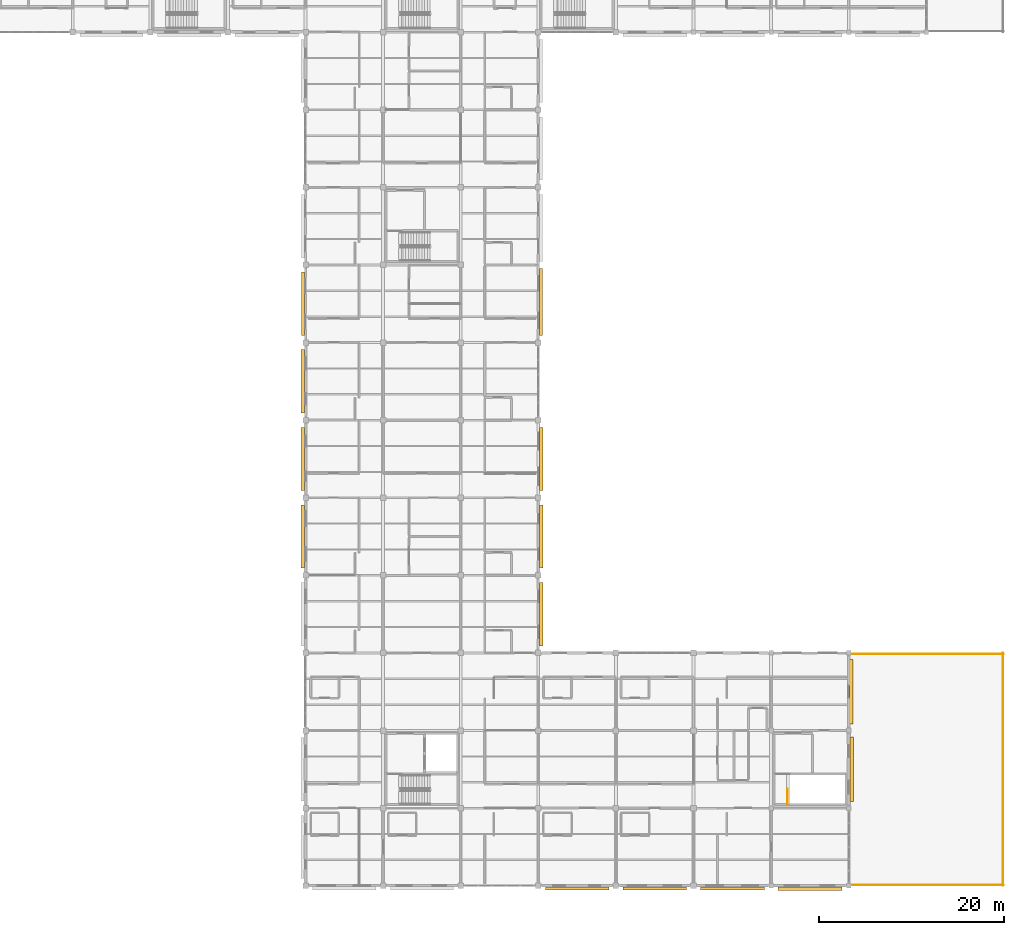
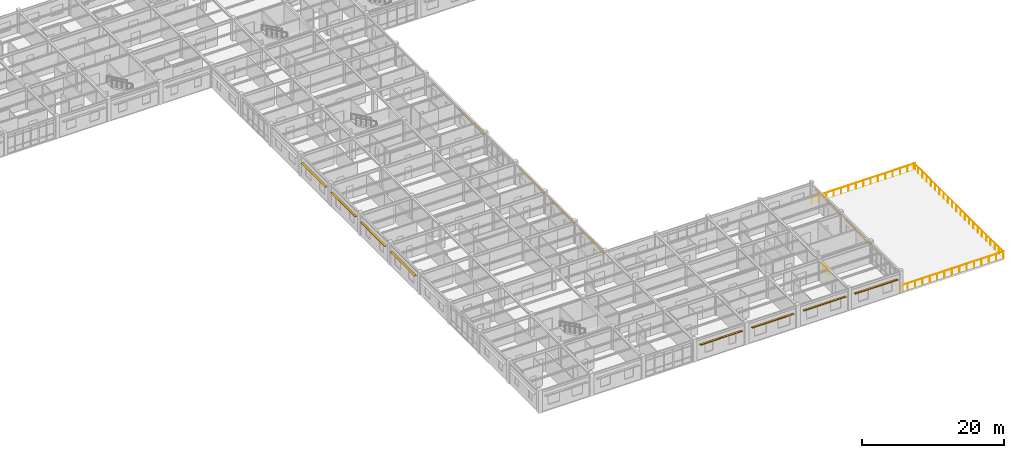
# One storey, part 62 of 70: 14 shading devices, 8 railings.
"""IFC4 building model written with IfcOpenShell, lengths in metres."""

from ifc_helpers import new_model, si_unit, direction, frame, origin, origin_2d, place, context, subcontext, project, spatial, rectangle, circle, extrude, material, material_profile, profile_set, type_object, element, save


model = new_model("IFC4")

# Units and contexts
model_context = context("Model", 3, precision=1e-05, world=origin(), true_north=direction((0.0, 1.0)))
body_context = subcontext(model_context, "Body", "Model", "MODEL_VIEW")
ifc_project = project(units=[si_unit("LENGTHUNIT", "METRE"), si_unit("AREAUNIT", "SQUARE_METRE"), si_unit("VOLUMEUNIT", "CUBIC_METRE"), si_unit("PLANEANGLEUNIT", "RADIAN"), si_unit("MASSUNIT", "GRAM", prefix="KILO")], contexts=[model_context])

# Site, building, storey
site_placement = place(None, origin())
site = spatial("IfcSite", under=ifc_project, at=site_placement, CompositionType="ELEMENT")
building_placement = place(site_placement, origin())
building = spatial("IfcBuilding", under=site, at=building_placement, Name="Bramfleet General Hospital", CompositionType="ELEMENT")
storey_placement = place(building_placement, frame((0.0, 0.0, 22.5)))
storey = spatial("IfcBuildingStorey", under=building, at=storey_placement, Name="L05", CompositionType="ELEMENT", Elevation=22.5)

# Railings
ifc_material_1 = material(Name="Stainless steel 1.4401 safety balustrade", Category="steel")
railing_type_1 = type_object("IfcRailingType", Name="RAIL-EXT-GUARD", PredefinedType="GUARDRAIL", material=ifc_material_1)
railing_1_placement = place(storey_placement, frame((159.610107421875, 25.10009765625, 0.0)))
element("IfcRailing", 1, at=railing_1_placement, inside=storey, type_object=railing_type_1, Name="L05 Safety Guard Rail 183", PredefinedType="GUARDRAIL", context=body_context, shape_type="SweptSolid", body=[
    extrude(circle(Radius=0.02392578125, at=origin_2d()), frame((0.0, 0.0, 1.076171875), z_axis=(1.0, 0.0, 0.0), x_axis=(0.0, 1.0, 0.0)), (0.0, 0.0, 1.0), 8.3798828125),
    extrude(circle(Radius=0.02099609375, at=origin_2d()), origin(), (0.0, 0.0, 1.0), 1.052001953125),
    extrude(circle(Radius=0.02099609375, at=origin_2d()), frame((1.197021484375, 0.0, 0.0)), (0.0, 0.0, 1.0), 1.052001953125),
    extrude(circle(Radius=0.02099609375, at=origin_2d()), frame((2.394287109375, 0.0, 0.0)), (0.0, 0.0, 1.0), 1.052001953125),
    extrude(circle(Radius=0.02099609375, at=origin_2d()), frame((3.59130859375, 0.0, 0.0)), (0.0, 0.0, 1.0), 1.052001953125),
    extrude(circle(Radius=0.02099609375, at=origin_2d()), frame((4.78857421875, 0.0, 0.0)), (0.0, 0.0, 1.0), 1.052001953125),
    extrude(circle(Radius=0.02099609375, at=origin_2d()), frame((5.985595703125, 0.0, 0.0)), (0.0, 0.0, 1.0), 1.052001953125),
    extrude(circle(Radius=0.02099609375, at=origin_2d()), frame((7.182861328125, 0.0, 0.0)), (0.0, 0.0, 1.0), 1.052001953125),
    extrude(circle(Radius=0.02099609375, at=origin_2d()), frame((8.3798828125, 0.0, 0.0)), (0.0, 0.0, 1.0), 1.052001953125),
])
railing_2_placement = place(storey_placement, frame((167.89990234375, 25.18994140625, 0.0)))
element("IfcRailing", 2, at=railing_2_placement, inside=storey, type_object=railing_type_1, Name="L05 Safety Guard Rail 184", PredefinedType="GUARDRAIL", context=body_context, shape_type="SweptSolid", body=[
    extrude(circle(Radius=0.02392578125, at=origin_2d()), frame((0.0, 0.0, 1.076171875), z_axis=(0.0, -1.0, 0.0), x_axis=(1.0, 0.0, 0.0)), (0.0, 0.0, 1.0), 8.3798828125),
    extrude(circle(Radius=0.02099609375, at=origin_2d()), origin(), (0.0, 0.0, 1.0), 1.052001953125),
    extrude(circle(Radius=0.02099609375, at=origin_2d()), frame((0.0, -1.197021484375, 0.0)), (0.0, 0.0, 1.0), 1.052001953125),
    extrude(circle(Radius=0.02099609375, at=origin_2d()), frame((0.0, -2.394287109375, 0.0)), (0.0, 0.0, 1.0), 1.052001953125),
    extrude(circle(Radius=0.02099609375, at=origin_2d()), frame((0.0, -3.59130859375, 0.0)), (0.0, 0.0, 1.0), 1.052001953125),
    extrude(circle(Radius=0.02099609375, at=origin_2d()), frame((0.0, -4.78857421875, 0.0)), (0.0, 0.0, 1.0), 1.052001953125),
    extrude(circle(Radius=0.02099609375, at=origin_2d()), frame((0.0, -5.985595703125, 0.0)), (0.0, 0.0, 1.0), 1.052001953125),
    extrude(circle(Radius=0.02099609375, at=origin_2d()), frame((0.0, -7.182861328125, 0.0)), (0.0, 0.0, 1.0), 1.052001953125),
    extrude(circle(Radius=0.02099609375, at=origin_2d()), frame((0.0, -8.3798828125, 0.0)), (0.0, 0.0, 1.0), 1.052001953125),
])
railing_3_placement = place(storey_placement, frame((167.89990234375, 16.7900390625, 0.0)))
element("IfcRailing", 3, at=railing_3_placement, inside=storey, type_object=railing_type_1, Name="L05 Safety Guard Rail 185", PredefinedType="GUARDRAIL", context=body_context, shape_type="SweptSolid", body=[
    extrude(circle(Radius=0.02392578125, at=origin_2d()), frame((0.0, 0.0, 1.076171875), z_axis=(0.0, -1.0, 0.0), x_axis=(1.0, 0.0, 0.0)), (0.0, 0.0, 1.0), 8.380126953125),
    extrude(circle(Radius=0.02099609375, at=origin_2d()), origin(), (0.0, 0.0, 1.0), 1.052001953125),
    extrude(circle(Radius=0.02099609375, at=origin_2d()), frame((0.0, -1.197265625, 0.0)), (0.0, 0.0, 1.0), 1.052001953125),
    extrude(circle(Radius=0.02099609375, at=origin_2d()), frame((0.0, -2.394287109375, 0.0)), (0.0, 0.0, 1.0), 1.052001953125),
    extrude(circle(Radius=0.02099609375, at=origin_2d()), frame((0.0, -3.591552734375, 0.0)), (0.0, 0.0, 1.0), 1.052001953125),
    extrude(circle(Radius=0.02099609375, at=origin_2d()), frame((0.0, -4.78857421875, 0.0)), (0.0, 0.0, 1.0), 1.052001953125),
    extrude(circle(Radius=0.02099609375, at=origin_2d()), frame((0.0, -5.98583984375, 0.0)), (0.0, 0.0, 1.0), 1.052001953125),
    extrude(circle(Radius=0.02099609375, at=origin_2d()), frame((0.0, -7.182861328125, 0.0)), (0.0, 0.0, 1.0), 1.052001953125),
    extrude(circle(Radius=0.02099609375, at=origin_2d()), frame((0.0, -8.380126953125, 0.0)), (0.0, 0.0, 1.0), 1.052001953125),
])
railing_4_placement = place(storey_placement, frame((167.89990234375, 8.389892578125, 0.0)))
element("IfcRailing", 4, at=railing_4_placement, inside=storey, type_object=railing_type_1, Name="L05 Safety Guard Rail 186", PredefinedType="GUARDRAIL", context=body_context, shape_type="SweptSolid", body=[
    extrude(circle(Radius=0.02392578125, at=origin_2d()), frame((0.0, 0.0, 1.076171875), z_axis=(0.0, -1.0, 0.0), x_axis=(1.0, 0.0, 0.0)), (0.0, 0.0, 1.0), 8.3798828125),
    extrude(circle(Radius=0.02099609375, at=origin_2d()), origin(), (0.0, 0.0, 1.0), 1.052001953125),
    extrude(circle(Radius=0.02099609375, at=origin_2d()), frame((0.0, -1.197021484375, 0.0)), (0.0, 0.0, 1.0), 1.052001953125),
    extrude(circle(Radius=0.02099609375, at=origin_2d()), frame((0.0, -2.394287109375, 0.0)), (0.0, 0.0, 1.0), 1.052001953125),
    extrude(circle(Radius=0.02099609375, at=origin_2d()), frame((0.0, -3.59130859375, 0.0)), (0.0, 0.0, 1.0), 1.052001953125),
    extrude(circle(Radius=0.02099609375, at=origin_2d()), frame((0.0, -4.78857421875, 0.0)), (0.0, 0.0, 1.0), 1.052001953125),
    extrude(circle(Radius=0.02099609375, at=origin_2d()), frame((0.0, -5.985595703125, 0.0)), (0.0, 0.0, 1.0), 1.052001953125),
    extrude(circle(Radius=0.02099609375, at=origin_2d()), frame((0.0, -7.182861328125, 0.0)), (0.0, 0.0, 1.0), 1.052001953125),
    extrude(circle(Radius=0.02099609375, at=origin_2d()), frame((0.0, -8.3798828125, 0.0)), (0.0, 0.0, 1.0), 1.052001953125),
])
railing_5_placement = place(storey_placement, frame((167.989990234375, 0.10009765625, 0.0)))
element("IfcRailing", 5, at=railing_5_placement, inside=storey, type_object=railing_type_1, Name="L05 Safety Guard Rail 187", PredefinedType="GUARDRAIL", context=body_context, shape_type="SweptSolid", body=[
    extrude(circle(Radius=0.02392578125, at=origin_2d()), frame((0.0, 0.0, 1.076171875), z_axis=(-1.0, 0.0, 0.0), x_axis=(0.0, -1.0, 0.0)), (0.0, 0.0, 1.0), 8.3798828125),
    extrude(circle(Radius=0.02099609375, at=origin_2d()), origin(), (0.0, 0.0, 1.0), 1.052001953125),
    extrude(circle(Radius=0.02099609375, at=origin_2d()), frame((-1.197021484375, 0.0, 0.0)), (0.0, 0.0, 1.0), 1.052001953125),
    extrude(circle(Radius=0.02099609375, at=origin_2d()), frame((-2.394287109375, 0.0, 0.0)), (0.0, 0.0, 1.0), 1.052001953125),
    extrude(circle(Radius=0.02099609375, at=origin_2d()), frame((-3.59130859375, 0.0, 0.0)), (0.0, 0.0, 1.0), 1.052001953125),
    extrude(circle(Radius=0.02099609375, at=origin_2d()), frame((-4.78857421875, 0.0, 0.0)), (0.0, 0.0, 1.0), 1.052001953125),
    extrude(circle(Radius=0.02099609375, at=origin_2d()), frame((-5.985595703125, 0.0, 0.0)), (0.0, 0.0, 1.0), 1.052001953125),
    extrude(circle(Radius=0.02099609375, at=origin_2d()), frame((-7.182861328125, 0.0, 0.0)), (0.0, 0.0, 1.0), 1.052001953125),
    extrude(circle(Radius=0.02099609375, at=origin_2d()), frame((-8.3798828125, 0.0, 0.0)), (0.0, 0.0, 1.0), 1.052001953125),
])
railing_6_placement = place(storey_placement, frame((159.590087890625, 0.10009765625, 0.0)))
element("IfcRailing", 6, at=railing_6_placement, inside=storey, type_object=railing_type_1, Name="L05 Safety Guard Rail 188", PredefinedType="GUARDRAIL", context=body_context, shape_type="SweptSolid", body=[
    extrude(circle(Radius=0.02392578125, at=origin_2d()), frame((0.0, 0.0, 1.076171875), z_axis=(-1.0, 0.0, 0.0), x_axis=(0.0, -1.0, 0.0)), (0.0, 0.0, 1.0), 8.380126953125),
    extrude(circle(Radius=0.02099609375, at=origin_2d()), origin(), (0.0, 0.0, 1.0), 1.052001953125),
    extrude(circle(Radius=0.02099609375, at=origin_2d()), frame((-1.197265625, 0.0, 0.0)), (0.0, 0.0, 1.0), 1.052001953125),
    extrude(circle(Radius=0.02099609375, at=origin_2d()), frame((-2.394287109375, 0.0, 0.0)), (0.0, 0.0, 1.0), 1.052001953125),
    extrude(circle(Radius=0.02099609375, at=origin_2d()), frame((-3.591552734375, 0.0, 0.0)), (0.0, 0.0, 1.0), 1.052001953125),
    extrude(circle(Radius=0.02099609375, at=origin_2d()), frame((-4.78857421875, 0.0, 0.0)), (0.0, 0.0, 1.0), 1.052001953125),
    extrude(circle(Radius=0.02099609375, at=origin_2d()), frame((-5.98583984375, 0.0, 0.0)), (0.0, 0.0, 1.0), 1.052001953125),
    extrude(circle(Radius=0.02099609375, at=origin_2d()), frame((-7.182861328125, 0.0, 0.0)), (0.0, 0.0, 1.0), 1.052001953125),
    extrude(circle(Radius=0.02099609375, at=origin_2d()), frame((-8.380126953125, 0.0, 0.0)), (0.0, 0.0, 1.0), 1.052001953125),
])
railing_7_placement = place(storey_placement, frame((151.2099609375, 25.10009765625, 0.0)))
element("IfcRailing", 7, at=railing_7_placement, inside=storey, type_object=railing_type_1, Name="L05 Safety Guard Rail 189", PredefinedType="GUARDRAIL", context=body_context, shape_type="SweptSolid", body=[
    extrude(circle(Radius=0.02392578125, at=origin_2d()), frame((0.0, 0.0, 1.076171875), z_axis=(1.0, 0.0, 0.0), x_axis=(0.0, 1.0, 0.0)), (0.0, 0.0, 1.0), 8.380126953125),
    extrude(circle(Radius=0.02099609375, at=origin_2d()), origin(), (0.0, 0.0, 1.0), 1.052001953125),
    extrude(circle(Radius=0.02099609375, at=origin_2d()), frame((1.197265625, 0.0, 0.0)), (0.0, 0.0, 1.0), 1.052001953125),
    extrude(circle(Radius=0.02099609375, at=origin_2d()), frame((2.394287109375, 0.0, 0.0)), (0.0, 0.0, 1.0), 1.052001953125),
    extrude(circle(Radius=0.02099609375, at=origin_2d()), frame((3.591552734375, 0.0, 0.0)), (0.0, 0.0, 1.0), 1.052001953125),
    extrude(circle(Radius=0.02099609375, at=origin_2d()), frame((4.78857421875, 0.0, 0.0)), (0.0, 0.0, 1.0), 1.052001953125),
    extrude(circle(Radius=0.02099609375, at=origin_2d()), frame((5.98583984375, 0.0, 0.0)), (0.0, 0.0, 1.0), 1.052001953125),
    extrude(circle(Radius=0.02099609375, at=origin_2d()), frame((7.182861328125, 0.0, 0.0)), (0.0, 0.0, 1.0), 1.052001953125),
    extrude(circle(Radius=0.02099609375, at=origin_2d()), frame((8.380126953125, 0.0, 0.0)), (0.0, 0.0, 1.0), 1.052001953125),
])
ifc_material_2 = material(Name="Powder-coated steel stair balustrade", Category="steel")
railing_type_2 = type_object("IfcRailingType", Name="RAIL-ST-GUARD", PredefinedType="GUARDRAIL", material=ifc_material_2)
railing_8_placement = place(storey_placement, frame((144.590087890625, 8.820068359375, 0.0)))
element("IfcRailing", 8, at=railing_8_placement, inside=storey, type_object=railing_type_2, Name="L05 ST-C10 top well guard 1", PredefinedType="GUARDRAIL", context=body_context, shape_type="SweptSolid", body=[
    extrude(circle(Radius=0.02392578125, at=origin_2d()), frame((0.0, 0.0, 1.076171875), z_axis=(0.0, 1.0, 0.0), x_axis=(-1.0, 0.0, 0.0)), (0.0, 0.0, 1.0), 1.659912109375),
    extrude(circle(Radius=0.02099609375, at=origin_2d()), origin(), (0.0, 0.0, 1.0), 1.052001953125),
    extrude(circle(Radius=0.02099609375, at=origin_2d()), frame((0.0, 0.830078125, 0.0)), (0.0, 0.0, 1.0), 1.052001953125),
    extrude(circle(Radius=0.02099609375, at=origin_2d()), frame((0.0, 1.659912109375, 0.0)), (0.0, 0.0, 1.0), 1.052001953125),
])

# Shading devices
ifc_material_3 = material(Name="Anodised aluminium EN AW-6063", Category="aluminium")
ifc_material_profile = material_profile(ifc_material_3, rectangle(XDim=0.050048828125, YDim=0.35009765625, at=origin_2d()), Name="ALU LOUVRE 350x50")
ifc_profile_set = profile_set([ifc_material_profile], Name="Anodised aluminium EN AW-6063")
shading_device_type = type_object("IfcShadingDeviceType", Name="SHD-LVR-350", PredefinedType="USERDEFINED", material=ifc_profile_set)
shading_device_1_placement = place(storey_placement, frame((92.10009765625, 42.77490234375, 2.669921875), z_axis=(0.0, 1.0, 0.0), x_axis=(0.0, 0.0, 1.0)))
element("IfcShadingDevice", 9, at=shading_device_1_placement, inside=storey, type_object=shading_device_type, Name="L05 Solar Shading Louvre 39", ObjectType="Louvre", PredefinedType="USERDEFINED", context=body_context, shape_type="SweptSolid", body=[
    extrude(rectangle(XDim=0.050048828125, YDim=0.35009765625, at=origin_2d()), origin(), (0.0, 0.0, 1.0), 6.85009765625),
])
shading_device_2_placement = place(storey_placement, frame((92.107421875, 51.175048828125, 2.669921875), z_axis=(0.0, 1.0, 0.0), x_axis=(0.0, 0.0, 1.0)))
element("IfcShadingDevice", 10, at=shading_device_2_placement, inside=storey, type_object=shading_device_type, Name="L05 Solar Shading Louvre 40", ObjectType="Louvre", PredefinedType="USERDEFINED", context=body_context, shape_type="SweptSolid", body=[
    extrude(rectangle(XDim=0.050048828125, YDim=0.35009765625, at=origin_2d()), origin(), (0.0, 0.0, 1.0), 6.849853515625),
])
shading_device_3_placement = place(storey_placement, frame((92.114990234375, 59.574951171875, 2.669921875), z_axis=(0.0, 1.0, 0.0), x_axis=(0.0, 0.0, 1.0)))
element("IfcShadingDevice", 11, at=shading_device_3_placement, inside=storey, type_object=shading_device_type, Name="L05 Solar Shading Louvre 41", ObjectType="Louvre", PredefinedType="USERDEFINED", context=body_context, shape_type="SweptSolid", body=[
    extrude(rectangle(XDim=0.050048828125, YDim=0.35009765625, at=origin_2d()), origin(), (0.0, 0.0, 1.0), 6.85009765625),
])
shading_device_4_placement = place(storey_placement, frame((117.87744140625, 66.800048828125, 2.669921875), z_axis=(0.0, -1.0, 0.0), x_axis=(0.0, 0.0, 1.0)))
element("IfcShadingDevice", 12, at=shading_device_4_placement, inside=storey, type_object=shading_device_type, Name="L05 Solar Shading Louvre 59", ObjectType="Louvre", PredefinedType="USERDEFINED", context=body_context, shape_type="SweptSolid", body=[
    extrude(rectangle(XDim=0.050048828125, YDim=0.35009765625, at=origin_2d()), origin(), (0.0, 0.0, 1.0), 7.22509765625),
])
for number, where, z_axis, x_axis, name in (
    (13, (117.927490234375, 49.625, 2.669921875), (0.0, -1.0, 0.0), (0.0, 0.0, 1.0), "L05 Solar Shading Louvre 60"),
    (14, (117.91748046875, 41.22509765625, 2.669921875), (0.0, -1.0, 0.0), (0.0, 0.0, 1.0), "L05 Solar Shading Louvre 61"),
):
    element("IfcShadingDevice", number, at=place(storey_placement, frame(where, z_axis=z_axis, x_axis=x_axis)), inside=storey, type_object=shading_device_type, Name=name, ObjectType="Louvre", PredefinedType="USERDEFINED", context=body_context, shape_type="SweptSolid", body=[
        extrude(rectangle(XDim=0.050048828125, YDim=0.35009765625, at=origin_2d()), origin(), (0.0, 0.0, 1.0), 6.85009765625),
    ])
shading_device_5_placement = place(storey_placement, frame((117.907470703125, 32.824951171875, 2.669921875), z_axis=(0.0, -1.0, 0.0), x_axis=(0.0, 0.0, 1.0)))
element("IfcShadingDevice", 15, at=shading_device_5_placement, inside=storey, type_object=shading_device_type, Name="L05 Solar Shading Louvre 62", ObjectType="Louvre", PredefinedType="USERDEFINED", context=body_context, shape_type="SweptSolid", body=[
    extrude(rectangle(XDim=0.050048828125, YDim=0.35009765625, at=origin_2d()), origin(), (0.0, 0.0, 1.0), 6.849853515625),
])
shading_device_6_placement = place(storey_placement, frame((151.4775390625, 24.47509765625, 2.669921875), z_axis=(0.0, -1.0, 0.0), x_axis=(0.0, 0.0, 1.0)))
element("IfcShadingDevice", 16, at=shading_device_6_placement, inside=storey, type_object=shading_device_type, Name="L05 Solar Shading Louvre 63", ObjectType="Louvre", PredefinedType="USERDEFINED", context=body_context, shape_type="SweptSolid", body=[
    extrude(rectangle(XDim=0.050048828125, YDim=0.35009765625, at=origin_2d()), origin(), (0.0, 0.0, 1.0), 6.9501953125),
])
shading_device_7_placement = place(storey_placement, frame((151.527587890625, 16.074951171875, 2.669921875), z_axis=(0.0, -1.0, 0.0), x_axis=(0.0, 0.0, 1.0)))
element("IfcShadingDevice", 17, at=shading_device_7_placement, inside=storey, type_object=shading_device_type, Name="L05 Solar Shading Louvre 64", ObjectType="Louvre", PredefinedType="USERDEFINED", context=body_context, shape_type="SweptSolid", body=[
    extrude(rectangle(XDim=0.050048828125, YDim=0.35009765625, at=origin_2d()), origin(), (0.0, 0.0, 1.0), 6.949951171875),
])
shading_device_8_placement = place(storey_placement, frame((150.47509765625, -0.3173828125, 2.669921875), z_axis=(-1.0, 0.0, 0.0), x_axis=(0.0, 0.0, 1.0)))
element("IfcShadingDevice", 18, at=shading_device_8_placement, inside=storey, type_object=shading_device_type, Name="L05 Solar Shading Louvre 65", ObjectType="Louvre", PredefinedType="USERDEFINED", context=body_context, shape_type="SweptSolid", body=[
    extrude(rectangle(XDim=0.050048828125, YDim=0.35009765625, at=origin_2d()), origin(), (0.0, 0.0, 1.0), 6.9501953125),
])
shading_device_9_placement = place(storey_placement, frame((142.074951171875, -0.3076171875, 2.669921875), z_axis=(-1.0, 0.0, 0.0), x_axis=(0.0, 0.0, 1.0)))
element("IfcShadingDevice", 19, at=shading_device_9_placement, inside=storey, type_object=shading_device_type, Name="L05 Solar Shading Louvre 66", ObjectType="Louvre", PredefinedType="USERDEFINED", context=body_context, shape_type="SweptSolid", body=[
    extrude(rectangle(XDim=0.050048828125, YDim=0.35009765625, at=origin_2d()), origin(), (0.0, 0.0, 1.0), 6.89990234375),
])
for number, where, z_axis, x_axis, name in (
    (20, (133.625, -0.300048828125, 2.669921875), (-1.0, 0.0, 0.0), (0.0, 0.0, 1.0), "L05 Solar Shading Louvre 67"),
    (21, (125.22509765625, -0.29248046875, 2.669921875), (-1.0, 0.0, 0.0), (0.0, 0.0, 1.0), "L05 Solar Shading Louvre 68"),
    (22, (92.10009765625, 34.375, 2.669921875), (0.0, 1.0, 0.0), (0.0, 0.0, 1.0), "L05 Solar Shading Louvre 74"),
):
    element("IfcShadingDevice", number, at=place(storey_placement, frame(where, z_axis=z_axis, x_axis=x_axis)), inside=storey, type_object=shading_device_type, Name=name, ObjectType="Louvre", PredefinedType="USERDEFINED", context=body_context, shape_type="SweptSolid", body=[
        extrude(rectangle(XDim=0.050048828125, YDim=0.35009765625, at=origin_2d()), origin(), (0.0, 0.0, 1.0), 6.85009765625),
    ])

save(model, "model.ifc")
